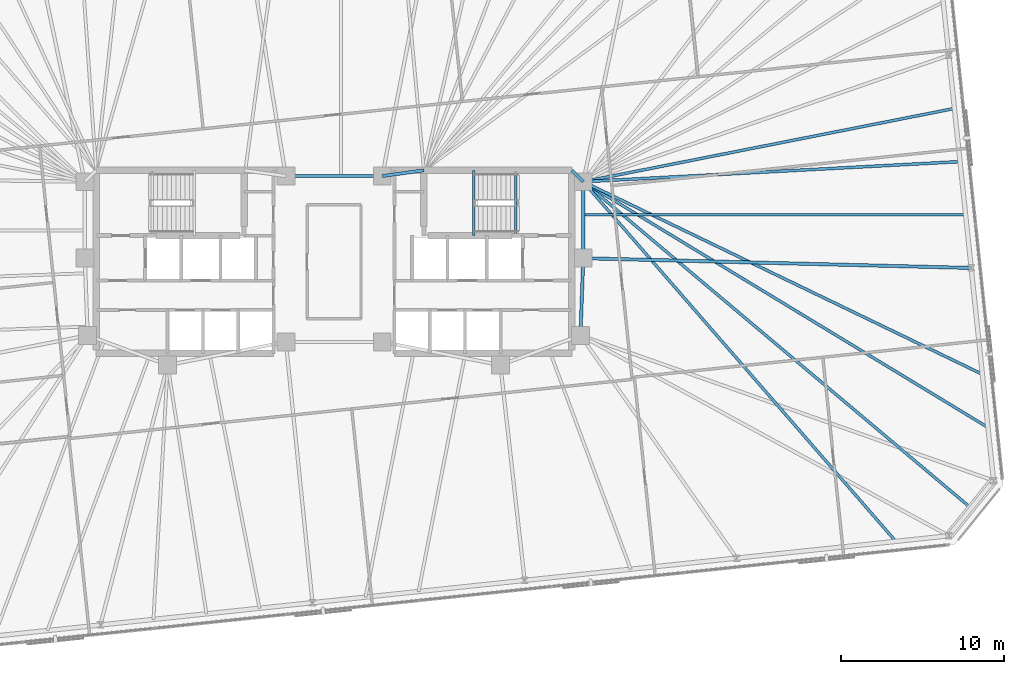
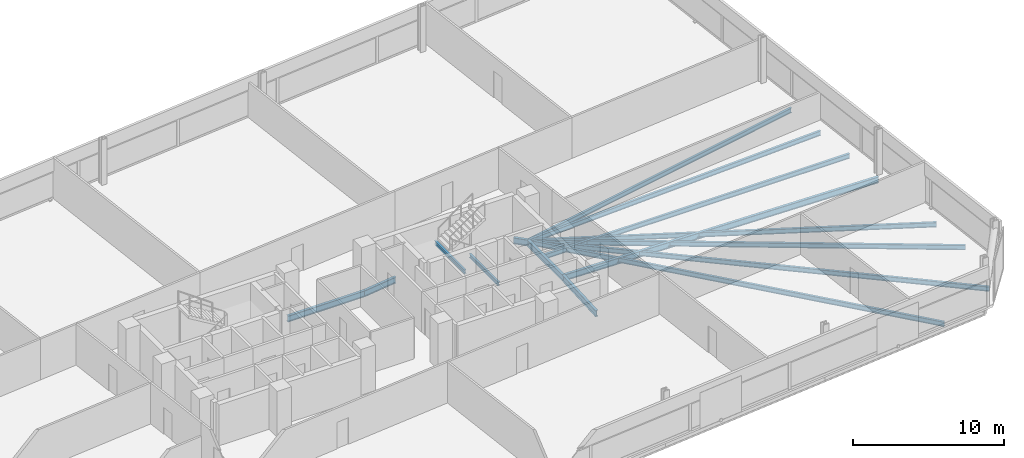
# One storey, part 8 of 18: 15 beams.
"""IFC4 building model written with IfcOpenShell, lengths in metres."""

from ifc_helpers import new_model, si_unit, direction, frame, origin, origin_2d, place, context, subcontext, project, spatial, i_section, extrude, material, material_profile, profile_set, type_object, element, save


model = new_model("IFC4")

# Units and contexts
model_context = context("Model", 3, precision=1e-05, world=origin(), true_north=direction((0.0, 1.0)))
body_context = subcontext(model_context, "Body", "Model", "MODEL_VIEW")
ifc_project = project(units=[si_unit("LENGTHUNIT", "METRE"), si_unit("AREAUNIT", "SQUARE_METRE"), si_unit("VOLUMEUNIT", "CUBIC_METRE"), si_unit("PLANEANGLEUNIT", "RADIAN"), si_unit("MASSUNIT", "GRAM", prefix="KILO")], contexts=[model_context])

# Site, building, storey
site_placement = place(None, origin())
site = spatial("IfcSite", under=ifc_project, at=site_placement, CompositionType="ELEMENT")
building_placement = place(site_placement, origin())
building = spatial("IfcBuilding", under=site, at=building_placement, Name="Menara Jurai Vektor", CompositionType="ELEMENT")
storey_placement = place(building_placement, frame((0.0, 0.0, 139.199951171875)))
storey = spatial("IfcBuildingStorey", under=building, at=storey_placement, Name="L35", CompositionType="ELEMENT", Elevation=139.199951171875)

# Beams
ifc_material = material(Name="Steel S355", Category="steel")
ifc_material_profile_1 = material_profile(ifc_material, i_section(OverallWidth=0.199951171875, OverallDepth=0.5, WebThickness=0.011962890625, FlangeThickness=0.02001953125, at=origin_2d()), Name="PG 500x200x96")
ifc_profile_set_1 = profile_set([ifc_material_profile_1], Name="Steel S355")
beam_type_1 = type_object("IfcBeamType", Name="STR-BM-500", PredefinedType="BEAM", material=ifc_profile_set_1)
beam_1_placement = place(storey_placement, frame((2.949951171875, 5.25, -0.474853515625), z_axis=(0.990706818608, 0.136014703483, 0.0), x_axis=(-0.136014703483, 0.990706818608, 0.0)))
element("IfcBeam", 1, at=beam_1_placement, inside=storey, type_object=beam_type_1, Name="Core Ring Header Girder L35-CHE-N1", PredefinedType="BEAM", context=body_context, shape_type="SweptSolid", body=[
    extrude(i_section(OverallWidth=0.199951171875, OverallDepth=0.5, WebThickness=0.011962890625, FlangeThickness=0.02001953125, at=origin_2d()), origin(), (0.0, 0.0, 1.0), 2.573974609375),
])
beam_2_placement = place(storey_placement, frame((14.56005859375, 5.60009765625, -0.474853515625), z_axis=(0.701871936926, -0.712303154672, 0.0), x_axis=(0.712303154672, 0.701871936926, 0.0)))
element("IfcBeam", 2, at=beam_2_placement, inside=storey, type_object=beam_type_1, Name="Core Ring Header Girder L35-CHE-N2", PredefinedType="BEAM", context=body_context, shape_type="SweptSolid", body=[
    extrude(i_section(OverallWidth=0.199951171875, OverallDepth=0.5, WebThickness=0.011962890625, FlangeThickness=0.02001953125, at=origin_2d()), origin(), (0.0, 0.0, 1.0), 0.98291015625),
])
beam_3_placement = place(storey_placement, frame((15.25, 0.219970703125, -0.474853515625), z_axis=(0.0, 1.0, 0.0), x_axis=(-1.0, 0.0, 0.0)))
element("IfcBeam", 3, at=beam_3_placement, inside=storey, type_object=beam_type_1, Name="Core Ring Header Girder L35-CHE-E1", PredefinedType="BEAM", context=body_context, shape_type="SweptSolid", body=[
    extrude(i_section(OverallWidth=0.199951171875, OverallDepth=0.5, WebThickness=0.011962890625, FlangeThickness=0.02001953125, at=origin_2d()), origin(), (0.0, 0.0, 1.0), 4.679931640625),
])
beam_4_placement = place(storey_placement, frame((15.080078125, -4.5, -0.474853515625), z_axis=(0.035977314146, 0.999352606874, 0.0), x_axis=(-0.999352606874, 0.035977314146, 0.0)))
element("IfcBeam", 4, at=beam_4_placement, inside=storey, type_object=beam_type_1, Name="Core Ring Header Girder L35-CHE-E2", PredefinedType="BEAM", context=body_context, shape_type="SweptSolid", body=[
    extrude(i_section(OverallWidth=0.199951171875, OverallDepth=0.5, WebThickness=0.011962890625, FlangeThickness=0.02001953125, at=origin_2d()), origin(), (0.0, 0.0, 1.0), 4.72314453125),
])
beam_5_placement = place(storey_placement, frame((-2.949951171875, 5.25, -0.474853515625), z_axis=(1.0, 0.0, 0.0), x_axis=(0.0, 1.0, 0.0)))
element("IfcBeam", 5, at=beam_5_placement, inside=storey, type_object=beam_type_1, Name="Core Ring Header Girder L35-CC-2", PredefinedType="BEAM", context=body_context, shape_type="SweptSolid", body=[
    extrude(i_section(OverallWidth=0.199951171875, OverallDepth=0.5, WebThickness=0.011962890625, FlangeThickness=0.02001953125, at=origin_2d()), origin(), (0.0, 0.0, 1.0), 5.89990234375),
])
beam_6_placement = place(storey_placement, frame((38.98828125, -0.375, -0.474853515625), z_axis=(-0.999686051749, 0.02505589629, 0.0), x_axis=(-0.02505589629, -0.999686051749, 0.0)))
element("IfcBeam", 6, at=beam_6_placement, inside=storey, type_object=beam_type_1, Name="Radial Floor Girder L35-E2", PredefinedType="BEAM", context=body_context, shape_type="SweptSolid", body=[
    extrude(i_section(OverallWidth=0.199951171875, OverallDepth=0.5, WebThickness=0.011962890625, FlangeThickness=0.02001953125, at=origin_2d()), origin(), (0.0, 0.0, 1.0), 23.745849609375),
])
ifc_material_profile_2 = material_profile(ifc_material, i_section(OverallWidth=0.175048828125, OverallDepth=0.3798828125, WebThickness=0.010009765625, FlangeThickness=0.014892578125, at=origin_2d()), Name="PG 380x175x58")
ifc_profile_set_2 = profile_set([ifc_material_profile_2], Name="Steel S355")
beam_type_2 = type_object("IfcBeamType", Name="STR-JS-380", PredefinedType="JOIST", material=ifc_profile_set_2)
beam_7_placement = place(storey_placement, frame((34.376953125, -17.106201171875, -0.4150390625), z_axis=(-0.656007047389, 0.754754763996, 0.0), x_axis=(-0.754754763996, -0.656007047389, 0.0)))
element("IfcBeam", 7, at=beam_7_placement, inside=storey, type_object=beam_type_2, Name="Radial Secondary Floor Joist L35-JS09", PredefinedType="JOIST", context=body_context, shape_type="SweptSolid", body=[
    extrude(i_section(OverallWidth=0.175048828125, OverallDepth=0.3798828125, WebThickness=0.010009765625, FlangeThickness=0.014892578125, at=origin_2d()), origin(), (0.0, 0.0, 1.0), 29.15673828125),
])
beam_8_placement = place(storey_placement, frame((38.989013671875, -15.076904296875, -0.4150390625), z_axis=(-0.765132553444, 0.643872794627, 0.0), x_axis=(-0.643872794627, -0.765132553444, 0.0)))
element("IfcBeam", 8, at=beam_8_placement, inside=storey, type_object=beam_type_2, Name="Radial Secondary Floor Joist L35-JS10", PredefinedType="JOIST", context=body_context, shape_type="SweptSolid", body=[
    extrude(i_section(OverallWidth=0.175048828125, OverallDepth=0.3798828125, WebThickness=0.010009765625, FlangeThickness=0.014892578125, at=origin_2d()), origin(), (0.0, 0.0, 1.0), 31.026123046875),
])
beam_9_placement = place(storey_placement, frame((40.01416015625, -10.13525390625, -0.4150390625), z_axis=(-0.854790986557, 0.518972416706, 0.0), x_axis=(-0.518972416706, -0.854790986557, 0.0)))
element("IfcBeam", 9, at=beam_9_placement, inside=storey, type_object=beam_type_2, Name="Radial Secondary Floor Joist L35-JS11", PredefinedType="JOIST", context=body_context, shape_type="SweptSolid", body=[
    extrude(i_section(OverallWidth=0.175048828125, OverallDepth=0.3798828125, WebThickness=0.010009765625, FlangeThickness=0.014892578125, at=origin_2d()), origin(), (0.0, 0.0, 1.0), 28.970947265625),
])
beam_10_placement = place(storey_placement, frame((39.672119140625, -6.8818359375, -0.4150390625), z_axis=(-0.90067072624, 0.434502293312, 0.0), x_axis=(-0.434502293312, -0.90067072624, 0.0)))
element("IfcBeam", 10, at=beam_10_placement, inside=storey, type_object=beam_type_2, Name="Radial Secondary Floor Joist L35-JS12", PredefinedType="JOIST", context=body_context, shape_type="SweptSolid", body=[
    extrude(i_section(OverallWidth=0.175048828125, OverallDepth=0.3798828125, WebThickness=0.010009765625, FlangeThickness=0.014892578125, at=origin_2d()), origin(), (0.0, 0.0, 1.0), 27.115478515625),
])
beam_11_placement = place(storey_placement, frame((38.646484375, 2.87841796875, -0.4150390625), z_axis=(-1.0, 0.0, 0.0), x_axis=(0.0, -1.0, 0.0)))
element("IfcBeam", 11, at=beam_11_placement, inside=storey, type_object=beam_type_2, Name="Radial Secondary Floor Joist L35-JS13", PredefinedType="JOIST", context=body_context, shape_type="SweptSolid", body=[
    extrude(i_section(OverallWidth=0.175048828125, OverallDepth=0.3798828125, WebThickness=0.010009765625, FlangeThickness=0.014892578125, at=origin_2d()), origin(), (0.0, 0.0, 1.0), 23.396484375),
])
beam_12_placement = place(storey_placement, frame((38.304443359375, 6.131591796875, -0.4150390625), z_axis=(-0.998575919005, -0.053349170414, 0.0), x_axis=(0.053349170414, -0.998575919005, 0.0)))
element("IfcBeam", 12, at=beam_12_placement, inside=storey, type_object=beam_type_2, Name="Radial Secondary Floor Joist L35-JS14", PredefinedType="JOIST", context=body_context, shape_type="SweptSolid", body=[
    extrude(i_section(OverallWidth=0.175048828125, OverallDepth=0.3798828125, WebThickness=0.010009765625, FlangeThickness=0.014892578125, at=origin_2d()), origin(), (0.0, 0.0, 1.0), 23.08740234375),
])
beam_13_placement = place(storey_placement, frame((37.96240234375, 9.385009765625, -0.4150390625), z_axis=(-0.981054359007, -0.193732662897, 0.0), x_axis=(0.193732662897, -0.981054359007, 0.0)))
element("IfcBeam", 13, at=beam_13_placement, inside=storey, type_object=beam_type_2, Name="Radial Secondary Floor Joist L35-JS15", PredefinedType="JOIST", context=body_context, shape_type="SweptSolid", body=[
    extrude(i_section(OverallWidth=0.175048828125, OverallDepth=0.3798828125, WebThickness=0.010009765625, FlangeThickness=0.014892578125, at=origin_2d()), origin(), (0.0, 0.0, 1.0), 23.151123046875),
])
ifc_material_profile_3 = material_profile(ifc_material, i_section(OverallWidth=0.1650390625, OverallDepth=0.302978515625, WebThickness=0.006103515625, FlangeThickness=0.010009765625, FilletRadius=0.009033203125, at=origin_2d()), Name="UKB 305x165x40")
ifc_profile_set_3 = profile_set([ifc_material_profile_3], Name="Steel S355")
beam_type_3 = type_object("IfcBeamType", Name="STR-LN-305", PredefinedType="LINTEL", material=ifc_profile_set_3)
beam_14_placement = place(storey_placement, frame((11.1201171875, 1.60009765625, -0.37646484375), z_axis=(0.0, 1.0, 0.0), x_axis=(-1.0, 0.0, 0.0)))
element("IfcBeam", 14, at=beam_14_placement, inside=storey, type_object=beam_type_3, Name="Stair Well Floor Trimmer ST2 L35", PredefinedType="LINTEL", context=body_context, shape_type="SweptSolid", body=[
    extrude(i_section(OverallWidth=0.1650390625, OverallDepth=0.302978515625, WebThickness=0.006103515625, FlangeThickness=0.010009765625, FilletRadius=0.009033203125, at=origin_2d()), origin(), (0.0, 0.0, 1.0), 3.81982421875),
])
beam_15_placement = place(storey_placement, frame((8.550048828125, 1.60009765625, 1.49853515625), z_axis=(0.0, 1.0, 0.0), x_axis=(-1.0, 0.0, 0.0)))
element("IfcBeam", 15, at=beam_15_placement, inside=storey, type_object=beam_type_3, Name="Stair Half-Landing Nosing Trimmer ST2-1 L35", PredefinedType="LINTEL", context=body_context, shape_type="SweptSolid", body=[
    extrude(i_section(OverallWidth=0.1650390625, OverallDepth=0.302978515625, WebThickness=0.006103515625, FlangeThickness=0.010009765625, FilletRadius=0.009033203125, at=origin_2d()), origin(), (0.0, 0.0, 1.0), 4.0),
])

save(model, "model.ifc")
